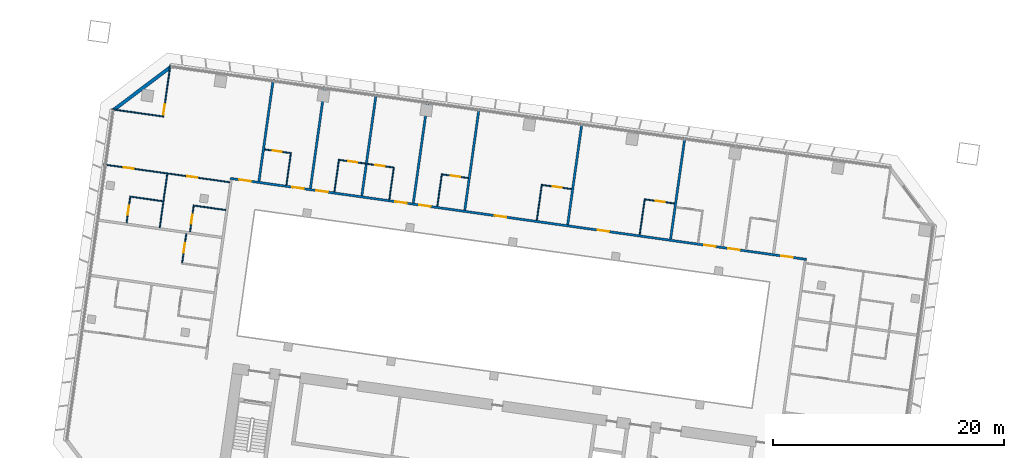
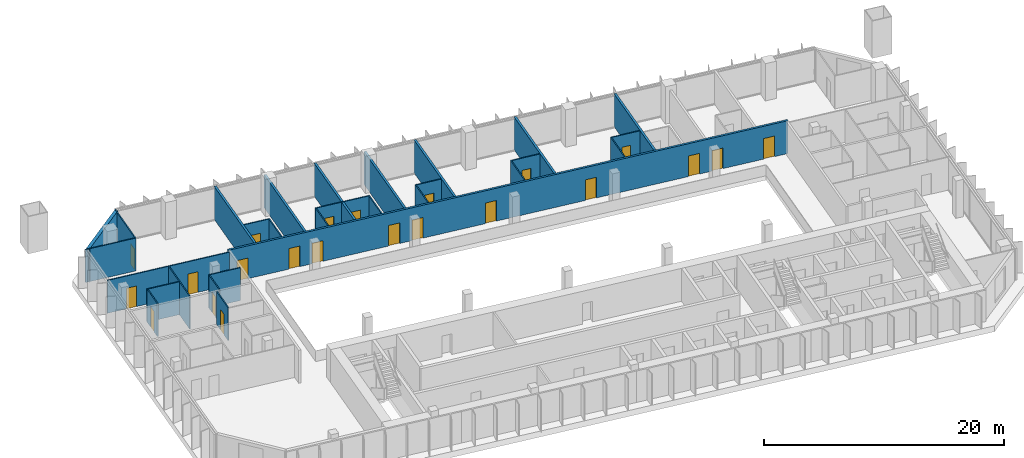
# One storey, part 16 of 25: 29 walls, 22 doors, 22 openings.
"""IFC4 building model written with IfcOpenShell, lengths in metres."""

from ifc_helpers import new_model, si_unit, direction, frame, frame_2d, origin, place, context, subcontext, project, spatial, rectangle, extrude, material, layer, layer_set, type_object, element, fill, save


model = new_model("IFC4")

# Units and contexts
model_context = context("Model", 3, precision=1e-05, world=origin(), true_north=direction((0.0, 1.0)))
body_context = subcontext(model_context, "Body", "Model", "MODEL_VIEW")
ifc_project = project(units=[si_unit("LENGTHUNIT", "METRE"), si_unit("AREAUNIT", "SQUARE_METRE"), si_unit("VOLUMEUNIT", "CUBIC_METRE"), si_unit("PLANEANGLEUNIT", "RADIAN"), si_unit("MASSUNIT", "GRAM", prefix="KILO")], contexts=[model_context])

# Site, building, storey
site_placement = place(None, origin())
site = spatial("IfcSite", under=ifc_project, at=site_placement, CompositionType="ELEMENT")
building_placement = place(site_placement, origin())
building = spatial("IfcBuilding", under=site, at=building_placement, Name="Mirante Cascada Hotel Towers", CompositionType="ELEMENT")
storey_placement = place(building_placement, frame((0.0, 0.0, 69.9)))
storey = spatial("IfcBuildingStorey", under=building, at=storey_placement, Name="L14", CompositionType="ELEMENT", Elevation=69.9)

# Wall, openings, doors
ifc_material_1 = material(Name="Fire-rated plasterboard on metal studs")
ifc_layer_1 = layer(ifc_material_1, 0.2)
ifc_layer_set_1 = layer_set([ifc_layer_1], Name="Compartment wall 200 EI 120")
wall_type_1 = type_object("IfcWallType", Name="Compartment wall 200 EI 120", PredefinedType="PARTITIONING", material=ifc_layer_set_1)
wall_1_placement = place(storey_placement, frame((-39.1051, 9.3779, 0.0), z_axis=(0.0, 0.0, 1.0), x_axis=(-0.9902681, 0.1391727, 0.0)))
wall_1 = element("IfcWall", 1, at=wall_1_placement, inside=storey, type_object=wall_type_1, Name="Wall 1-L14-19", PredefinedType="PARTITIONING", context=body_context, shape_type="SweptSolid", body=[
    extrude(rectangle(XDim=50.4, YDim=0.2, at=frame_2d((25.2, 0.0))), origin(), (0.0, 0.0, 1.0), 3.35),
])
opening_1_placement = place(wall_1_placement, frame((1.2, 0.0, 0.0)))
opening_1 = element("IfcOpeningElement", 2, at=opening_1_placement, cuts=wall_1, Name="Opening D1-L14-11", PredefinedType="OPENING", context=body_context, shape_type="SweptSolid", body=[
    extrude(rectangle(XDim=1.0, YDim=2.1, at=frame_2d((0.5, 1.05))), frame((0.0, 0.1, 0.0), z_axis=(0.0, -1.0, 0.0), x_axis=(1.0, 0.0, 0.0)), (0.0, 0.0, 1.0), 0.2),
])
opening_2_placement = place(wall_1_placement, frame((5.85, 0.0, 0.0)))
opening_2 = element("IfcOpeningElement", 3, at=opening_2_placement, cuts=wall_1, Name="Opening D1-L14-12", PredefinedType="OPENING", context=body_context, shape_type="SweptSolid", body=[
    extrude(rectangle(XDim=1.0, YDim=2.1, at=frame_2d((0.5, 1.05))), frame((0.0, 0.1, 0.0), z_axis=(0.0, -1.0, 0.0), x_axis=(1.0, 0.0, 0.0)), (0.0, 0.0, 1.0), 0.2),
])
opening_3_placement = place(wall_1_placement, frame((7.95, 0.0, 0.0)))
opening_3 = element("IfcOpeningElement", 4, at=opening_3_placement, cuts=wall_1, Name="Opening D1-L14-13", PredefinedType="OPENING", context=body_context, shape_type="SweptSolid", body=[
    extrude(rectangle(XDim=1.0, YDim=2.1, at=frame_2d((0.5, 1.05))), frame((0.0, 0.1, 0.0), z_axis=(0.0, -1.0, 0.0), x_axis=(1.0, 0.0, 0.0)), (0.0, 0.0, 1.0), 0.2),
])
opening_4_placement = place(wall_1_placement, frame((17.25, 0.0, 0.0)))
opening_4 = element("IfcOpeningElement", 5, at=opening_4_placement, cuts=wall_1, Name="Opening D1-L14-14", PredefinedType="OPENING", context=body_context, shape_type="SweptSolid", body=[
    extrude(rectangle(XDim=1.0, YDim=2.1, at=frame_2d((0.5, 1.05))), frame((0.0, 0.1, 0.0), z_axis=(0.0, -1.0, 0.0), x_axis=(1.0, 0.0, 0.0)), (0.0, 0.0, 1.0), 0.2),
])
opening_5_placement = place(wall_1_placement, frame((26.25, 0.0, 0.0)))
opening_5 = element("IfcOpeningElement", 6, at=opening_5_placement, cuts=wall_1, Name="Opening D1-L14-15", PredefinedType="OPENING", context=body_context, shape_type="SweptSolid", body=[
    extrude(rectangle(XDim=1.0, YDim=2.1, at=frame_2d((0.5, 1.05))), frame((0.0, 0.1, 0.0), z_axis=(0.0, -1.0, 0.0), x_axis=(1.0, 0.0, 0.0)), (0.0, 0.0, 1.0), 0.2),
])
opening_6_placement = place(wall_1_placement, frame((32.85, 0.0, 0.0)))
opening_6 = element("IfcOpeningElement", 7, at=opening_6_placement, cuts=wall_1, Name="Opening D1-L14-16", PredefinedType="OPENING", context=body_context, shape_type="SweptSolid", body=[
    extrude(rectangle(XDim=1.0, YDim=2.1, at=frame_2d((0.5, 1.05))), frame((0.0, 0.1, 0.0), z_axis=(0.0, -1.0, 0.0), x_axis=(1.0, 0.0, 0.0)), (0.0, 0.0, 1.0), 0.2),
])
opening_7_placement = place(wall_1_placement, frame((34.95, 0.0, 0.0)))
opening_7 = element("IfcOpeningElement", 8, at=opening_7_placement, cuts=wall_1, Name="Opening D1-L14-17", PredefinedType="OPENING", context=body_context, shape_type="SweptSolid", body=[
    extrude(rectangle(XDim=1.0, YDim=2.1, at=frame_2d((0.5, 1.05))), frame((0.0, 0.1, 0.0), z_axis=(0.0, -1.0, 0.0), x_axis=(1.0, 0.0, 0.0)), (0.0, 0.0, 1.0), 0.2),
])
opening_8_placement = place(wall_1_placement, frame((41.85, 0.0, 0.0)))
opening_8 = element("IfcOpeningElement", 9, at=opening_8_placement, cuts=wall_1, Name="Opening D1-L14-18", PredefinedType="OPENING", context=body_context, shape_type="SweptSolid", body=[
    extrude(rectangle(XDim=1.0, YDim=2.1, at=frame_2d((0.5, 1.05))), frame((0.0, 0.1, 0.0), z_axis=(0.0, -1.0, 0.0), x_axis=(1.0, 0.0, 0.0)), (0.0, 0.0, 1.0), 0.2),
])
opening_9_placement = place(wall_1_placement, frame((43.95, 0.0, 0.0)))
opening_9 = element("IfcOpeningElement", 10, at=opening_9_placement, cuts=wall_1, Name="Opening D1-L14-19", PredefinedType="OPENING", context=body_context, shape_type="SweptSolid", body=[
    extrude(rectangle(XDim=1.0, YDim=2.1, at=frame_2d((0.5, 1.05))), frame((0.0, 0.1, 0.0), z_axis=(0.0, -1.0, 0.0), x_axis=(1.0, 0.0, 0.0)), (0.0, 0.0, 1.0), 0.2),
])
opening_10_placement = place(wall_1_placement, frame((48.6, 0.0, 0.0)))
opening_10 = element("IfcOpeningElement", 11, at=opening_10_placement, cuts=wall_1, Name="Opening D1-L14-20", PredefinedType="OPENING", context=body_context, shape_type="SweptSolid", body=[
    extrude(rectangle(XDim=1.0, YDim=2.1, at=frame_2d((0.5, 1.05))), frame((0.0, 0.1, 0.0), z_axis=(0.0, -1.0, 0.0), x_axis=(1.0, 0.0, 0.0)), (0.0, 0.0, 1.0), 0.2),
])
ifc_material_2 = material(Name="Fire-rated timber door leaf", Category="wood")
door_type_1 = type_object("IfcDoorType", Name="Entrance door DG1 1000x2100 EI 60", OperationType="SINGLE_SWING_LEFT", PredefinedType="DOOR", material=ifc_material_2)
door_1_placement = place(opening_1_placement, frame((1.0, 0.0, 0.0), z_axis=(0.0, 0.0, 1.0), x_axis=(-1.0, 0.0, 0.0)))
door_1 = element("IfcDoor", 12, at=door_1_placement, inside=storey, type_object=door_type_1, Name="Door D1-L14-11", OperationType="SINGLE_SWING_RIGHT", OverallHeight=2.1, OverallWidth=1.0, PredefinedType="DOOR", context=body_context, shape_type="SweptSolid", body=[
    extrude(rectangle(XDim=1.0, YDim=2.1, at=frame_2d((0.5, 1.05))), frame((0.0, 0.025, 0.0), z_axis=(0.0, -1.0, 0.0), x_axis=(1.0, 0.0, 0.0)), (0.0, 0.0, 1.0), 0.05),
])
fill(opening_1, door_1)
door_2_placement = place(opening_2_placement, frame((1.0, 0.0, 0.0), z_axis=(0.0, 0.0, 1.0), x_axis=(-1.0, 0.0, 0.0)))
door_2 = element("IfcDoor", 13, at=door_2_placement, inside=storey, type_object=door_type_1, Name="Door D1-L14-12", OperationType="SINGLE_SWING_RIGHT", OverallHeight=2.1, OverallWidth=1.0, PredefinedType="DOOR", context=body_context, shape_type="SweptSolid", body=[
    extrude(rectangle(XDim=1.0, YDim=2.1, at=frame_2d((0.5, 1.05))), frame((0.0, 0.025, 0.0), z_axis=(0.0, -1.0, 0.0), x_axis=(1.0, 0.0, 0.0)), (0.0, 0.0, 1.0), 0.05),
])
fill(opening_2, door_2)
door_3_placement = place(opening_3_placement, frame((1.0, 0.0, 0.0), z_axis=(0.0, 0.0, 1.0), x_axis=(-1.0, 0.0, 0.0)))
door_3 = element("IfcDoor", 14, at=door_3_placement, inside=storey, type_object=door_type_1, Name="Door D1-L14-13", OperationType="SINGLE_SWING_RIGHT", OverallHeight=2.1, OverallWidth=1.0, PredefinedType="DOOR", context=body_context, shape_type="SweptSolid", body=[
    extrude(rectangle(XDim=1.0, YDim=2.1, at=frame_2d((0.5, 1.05))), frame((0.0, 0.025, 0.0), z_axis=(0.0, -1.0, 0.0), x_axis=(1.0, 0.0, 0.0)), (0.0, 0.0, 1.0), 0.05),
])
fill(opening_3, door_3)
door_4_placement = place(opening_4_placement, frame((1.0, 0.0, 0.0), z_axis=(0.0, 0.0, 1.0), x_axis=(-1.0, 0.0, 0.0)))
door_4 = element("IfcDoor", 15, at=door_4_placement, inside=storey, type_object=door_type_1, Name="Door D1-L14-14", OperationType="SINGLE_SWING_RIGHT", OverallHeight=2.1, OverallWidth=1.0, PredefinedType="DOOR", context=body_context, shape_type="SweptSolid", body=[
    extrude(rectangle(XDim=1.0, YDim=2.1, at=frame_2d((0.5, 1.05))), frame((0.0, 0.025, 0.0), z_axis=(0.0, -1.0, 0.0), x_axis=(1.0, 0.0, 0.0)), (0.0, 0.0, 1.0), 0.05),
])
fill(opening_4, door_4)
door_5_placement = place(opening_5_placement, frame((1.0, 0.0, 0.0), z_axis=(0.0, 0.0, 1.0), x_axis=(-1.0, 0.0, 0.0)))
door_5 = element("IfcDoor", 16, at=door_5_placement, inside=storey, type_object=door_type_1, Name="Door D1-L14-15", OperationType="SINGLE_SWING_RIGHT", OverallHeight=2.1, OverallWidth=1.0, PredefinedType="DOOR", context=body_context, shape_type="SweptSolid", body=[
    extrude(rectangle(XDim=1.0, YDim=2.1, at=frame_2d((0.5, 1.05))), frame((0.0, 0.025, 0.0), z_axis=(0.0, -1.0, 0.0), x_axis=(1.0, 0.0, 0.0)), (0.0, 0.0, 1.0), 0.05),
])
fill(opening_5, door_5)
door_6_placement = place(opening_6_placement, frame((1.0, 0.0, 0.0), z_axis=(0.0, 0.0, 1.0), x_axis=(-1.0, 0.0, 0.0)))
door_6 = element("IfcDoor", 17, at=door_6_placement, inside=storey, type_object=door_type_1, Name="Door D1-L14-16", OperationType="SINGLE_SWING_RIGHT", OverallHeight=2.1, OverallWidth=1.0, PredefinedType="DOOR", context=body_context, shape_type="SweptSolid", body=[
    extrude(rectangle(XDim=1.0, YDim=2.1, at=frame_2d((0.5, 1.05))), frame((0.0, 0.025, 0.0), z_axis=(0.0, -1.0, 0.0), x_axis=(1.0, 0.0, 0.0)), (0.0, 0.0, 1.0), 0.05),
])
fill(opening_6, door_6)
door_7_placement = place(opening_7_placement, frame((1.0, 0.0, 0.0), z_axis=(0.0, 0.0, 1.0), x_axis=(-1.0, 0.0, 0.0)))
door_7 = element("IfcDoor", 18, at=door_7_placement, inside=storey, type_object=door_type_1, Name="Door D1-L14-17", OperationType="SINGLE_SWING_RIGHT", OverallHeight=2.1, OverallWidth=1.0, PredefinedType="DOOR", context=body_context, shape_type="SweptSolid", body=[
    extrude(rectangle(XDim=1.0, YDim=2.1, at=frame_2d((0.5, 1.05))), frame((0.0, 0.025, 0.0), z_axis=(0.0, -1.0, 0.0), x_axis=(1.0, 0.0, 0.0)), (0.0, 0.0, 1.0), 0.05),
])
fill(opening_7, door_7)
door_8_placement = place(opening_8_placement, frame((1.0, 0.0, 0.0), z_axis=(0.0, 0.0, 1.0), x_axis=(-1.0, 0.0, 0.0)))
door_8 = element("IfcDoor", 19, at=door_8_placement, inside=storey, type_object=door_type_1, Name="Door D1-L14-18", OperationType="SINGLE_SWING_RIGHT", OverallHeight=2.1, OverallWidth=1.0, PredefinedType="DOOR", context=body_context, shape_type="SweptSolid", body=[
    extrude(rectangle(XDim=1.0, YDim=2.1, at=frame_2d((0.5, 1.05))), frame((0.0, 0.025, 0.0), z_axis=(0.0, -1.0, 0.0), x_axis=(1.0, 0.0, 0.0)), (0.0, 0.0, 1.0), 0.05),
])
fill(opening_8, door_8)
door_9_placement = place(opening_9_placement, frame((1.0, 0.0, 0.0), z_axis=(0.0, 0.0, 1.0), x_axis=(-1.0, 0.0, 0.0)))
door_9 = element("IfcDoor", 20, at=door_9_placement, inside=storey, type_object=door_type_1, Name="Door D1-L14-19", OperationType="SINGLE_SWING_RIGHT", OverallHeight=2.1, OverallWidth=1.0, PredefinedType="DOOR", context=body_context, shape_type="SweptSolid", body=[
    extrude(rectangle(XDim=1.0, YDim=2.1, at=frame_2d((0.5, 1.05))), frame((0.0, 0.025, 0.0), z_axis=(0.0, -1.0, 0.0), x_axis=(1.0, 0.0, 0.0)), (0.0, 0.0, 1.0), 0.05),
])
fill(opening_9, door_9)
door_10_placement = place(opening_10_placement, frame((1.0, 0.0, 0.0), z_axis=(0.0, 0.0, 1.0), x_axis=(-1.0, 0.0, 0.0)))
door_10 = element("IfcDoor", 21, at=door_10_placement, inside=storey, type_object=door_type_1, Name="Door D1-L14-20", OperationType="SINGLE_SWING_RIGHT", OverallHeight=2.1, OverallWidth=1.0, PredefinedType="DOOR", context=body_context, shape_type="SweptSolid", body=[
    extrude(rectangle(XDim=1.0, YDim=2.1, at=frame_2d((0.5, 1.05))), frame((0.0, 0.025, 0.0), z_axis=(0.0, -1.0, 0.0), x_axis=(1.0, 0.0, 0.0)), (0.0, 0.0, 1.0), 0.05),
])
fill(opening_10, door_10)

# Walls
wall_2_placement = place(storey_placement, frame((-50.8754, 11.1331, 0.0), z_axis=(0.0, 0.0, 1.0), x_axis=(0.1391794, 0.9902672, 0.0)))
element("IfcWall", 22, at=wall_2_placement, inside=storey, type_object=wall_type_1, Name="Wall 1-L14-39", PredefinedType="PARTITIONING", context=body_context, shape_type="SweptSolid", body=[
    extrude(rectangle(XDim=8.9, YDim=0.2, at=frame_2d((4.45, 0.0))), origin(), (0.0, 0.0, 1.0), 3.35),
])
wall_3_placement = place(storey_placement, frame((-59.7878, 12.3857, 0.0), z_axis=(0.0, 0.0, 1.0), x_axis=(0.13917, 0.9902685, 0.0)))
element("IfcWall", 23, at=wall_3_placement, inside=storey, type_object=wall_type_1, Name="Wall 1-L14-41", PredefinedType="PARTITIONING", context=body_context, shape_type="SweptSolid", body=[
    extrude(rectangle(XDim=8.8999, YDim=0.2, at=frame_2d((4.45, 0.0))), origin(), (0.0, 0.0, 1.0), 3.35),
])
for number, where, z_axis, x_axis, name in (
    (24, (-68.7002, 13.6382, 0.0), (0.0, 0.0, 1.0), (0.1391684, 0.9902687, 0.0), "Wall 1-L14-43"),
    (25, (-73.1564, 14.2645, 0.0), (0.0, 0.0, 1.0), (0.1391684, 0.9902687, 0.0), "Wall 1-L14-45"),
    (26, (-77.6126, 14.8908, 0.0), (0.0, 0.0, 1.0), (0.1391684, 0.9902687, 0.0), "Wall 1-L14-47"),
):
    element("IfcWall", number, at=place(storey_placement, frame(where, z_axis=z_axis, x_axis=x_axis)), inside=storey, type_object=wall_type_1, Name=name, PredefinedType="PARTITIONING", context=body_context, shape_type="SweptSolid", body=[
        extrude(rectangle(XDim=8.9, YDim=0.2, at=frame_2d((4.45, 0.0))), origin(), (0.0, 0.0, 1.0), 3.35),
    ])
wall_4_placement = place(storey_placement, frame((-82.0688, 15.5171, 0.0), z_axis=(0.0, 0.0, 1.0), x_axis=(0.13917, 0.9902685, 0.0)))
element("IfcWall", 27, at=wall_4_placement, inside=storey, type_object=wall_type_1, Name="Wall 1-L14-49", PredefinedType="PARTITIONING", context=body_context, shape_type="SweptSolid", body=[
    extrude(rectangle(XDim=8.8999, YDim=0.2, at=frame_2d((4.45, 0.0))), origin(), (0.0, 0.0, 1.0), 3.35),
])
wall_5_placement = place(storey_placement, frame((-86.525, 16.1433, 0.0), z_axis=(0.0, 0.0, 1.0), x_axis=(0.1391684, 0.9902687, 0.0)))
element("IfcWall", 28, at=wall_5_placement, inside=storey, type_object=wall_type_1, Name="Wall 1-L14-51", PredefinedType="PARTITIONING", context=body_context, shape_type="SweptSolid", body=[
    extrude(rectangle(XDim=8.9, YDim=0.2, at=frame_2d((4.45, 0.0))), origin(), (0.0, 0.0, 1.0), 3.35),
])
ifc_material_3 = material(Name="Plasterboard on metal studs")
ifc_layer_2 = layer(ifc_material_3, 0.1)
ifc_layer_set_2 = layer_set([ifc_layer_2], Name="Partition 100")
wall_type_2 = type_object("IfcWallType", Name="Partition 100", PredefinedType="PARTITIONING", material=ifc_layer_set_2)
wall_6_placement = place(storey_placement, frame((-89.3997, 13.6525, 0.0), z_axis=(0.0, 0.0, 1.0), x_axis=(-0.9902697, 0.1391613, 0.0)))
element("IfcWall", 29, at=wall_6_placement, inside=storey, type_object=wall_type_2, Name="Wall 1-L14-15", PredefinedType="PARTITIONING", context=body_context, shape_type="SweptSolid", body=[
    extrude(rectangle(XDim=2.8499, YDim=0.1, at=frame_2d((1.425, 0.0))), origin(), (0.0, 0.0, 1.0), 3.35),
])
wall_7_placement = place(storey_placement, frame((-97.7179, 14.8215, 0.0), z_axis=(0.0, 0.0, 1.0), x_axis=(0.9902683, -0.1391714, 0.0)))
element("IfcWall", 30, at=wall_7_placement, inside=storey, type_object=wall_type_2, Name="Wall 1-L14-16", PredefinedType="PARTITIONING", context=body_context, shape_type="SweptSolid", body=[
    extrude(rectangle(XDim=2.9, YDim=0.1, at=frame_2d((1.45, 0.0))), origin(), (0.0, 0.0, 1.0), 3.35),
])

# Wall, openings, doors
wall_8_placement = place(storey_placement, frame((-99.954, 17.5931, 0.0), z_axis=(0.0, 0.0, 1.0), x_axis=(0.9902682, -0.1391721, 0.0)))
wall_8 = element("IfcWall", 31, at=wall_8_placement, inside=storey, type_object=wall_type_2, Name="Wall 1-L14-18", PredefinedType="PARTITIONING", context=body_context, shape_type="SweptSolid", body=[
    extrude(rectangle(XDim=11.0001, YDim=0.1, at=frame_2d((5.5, 0.0))), origin(), (0.0, 0.0, 1.0), 3.35),
])
opening_11_placement = place(wall_8_placement, frame((7.275, 0.0, 0.0)))
opening_11 = element("IfcOpeningElement", 32, at=opening_11_placement, cuts=wall_8, Name="Opening D1-L14-09", PredefinedType="OPENING", context=body_context, shape_type="SweptSolid", body=[
    extrude(rectangle(XDim=0.9, YDim=2.1, at=frame_2d((0.45, 1.05))), frame((0.0, 0.05, 0.0), z_axis=(0.0, -1.0, 0.0), x_axis=(1.0, 0.0, 0.0)), (0.0, 0.0, 1.0), 0.1),
])
opening_12_placement = place(wall_8_placement, frame((1.725, 0.0, 0.0)))
opening_12 = element("IfcOpeningElement", 33, at=opening_12_placement, cuts=wall_8, Name="Opening D1-L14-10", PredefinedType="OPENING", context=body_context, shape_type="SweptSolid", body=[
    extrude(rectangle(XDim=0.9, YDim=2.1, at=frame_2d((0.45, 1.05))), frame((0.0, 0.05, 0.0), z_axis=(0.0, -1.0, 0.0), x_axis=(1.0, 0.0, 0.0)), (0.0, 0.0, 1.0), 0.1),
])
ifc_material_4 = material(Name="Timber door leaf", Category="wood")
door_type_2 = type_object("IfcDoorType", Name="Room door DG3 900x2100", OperationType="SINGLE_SWING_LEFT", PredefinedType="DOOR", material=ifc_material_4)
door_11_placement = place(opening_11_placement, origin())
door_11 = element("IfcDoor", 34, at=door_11_placement, inside=storey, type_object=door_type_2, Name="Door D1-L14-09", OperationType="SINGLE_SWING_LEFT", OverallHeight=2.1, OverallWidth=0.9, PredefinedType="DOOR", context=body_context, shape_type="SweptSolid", body=[
    extrude(rectangle(XDim=0.9, YDim=2.1, at=frame_2d((0.45, 1.05))), frame((0.0, 0.025, 0.0), z_axis=(0.0, -1.0, 0.0), x_axis=(1.0, 0.0, 0.0)), (0.0, 0.0, 1.0), 0.05),
])
fill(opening_11, door_11)
door_12_placement = place(opening_12_placement, origin())
door_12 = element("IfcDoor", 35, at=door_12_placement, inside=storey, type_object=door_type_2, Name="Door D1-L14-10", OperationType="SINGLE_SWING_LEFT", OverallHeight=2.1, OverallWidth=0.9, PredefinedType="DOOR", context=body_context, shape_type="SweptSolid", body=[
    extrude(rectangle(XDim=0.9, YDim=2.1, at=frame_2d((0.45, 1.05))), frame((0.0, 0.025, 0.0), z_axis=(0.0, -1.0, 0.0), x_axis=(1.0, 0.0, 0.0)), (0.0, 0.0, 1.0), 0.05),
])
fill(opening_12, door_12)

# Wall, opening, door
wall_9_placement = place(storey_placement, frame((-70.6377, 16.738, 0.0), z_axis=(0.0, 0.0, 1.0), x_axis=(0.9902705, -0.1391561, 0.0)))
wall_9 = element("IfcWall", 36, at=wall_9_placement, inside=storey, type_object=wall_type_2, Name="Wall 1-L14-22", PredefinedType="PARTITIONING", context=body_context, shape_type="SweptSolid", body=[
    extrude(rectangle(XDim=2.25, YDim=0.1, at=frame_2d((1.125, 0.0))), origin(), (0.0, 0.0, 1.0), 3.35),
])
opening_13_placement = place(wall_9_placement, frame((0.75, 0.0, 0.0)))
opening_13 = element("IfcOpeningElement", 37, at=opening_13_placement, cuts=wall_9, Name="Opening D1-L14-23", PredefinedType="OPENING", context=body_context, shape_type="SweptSolid", body=[
    extrude(rectangle(XDim=0.8, YDim=2.1, at=frame_2d((0.4, 1.05))), frame((0.0, 0.05, 0.0), z_axis=(0.0, -1.0, 0.0), x_axis=(1.0, 0.0, 0.0)), (0.0, 0.0, 1.0), 0.1),
])
ifc_material_5 = material(Name="Timber door leaf", Category="wood")
door_type_3 = type_object("IfcDoorType", Name="Bathroom door DG4 800x2100", OperationType="SINGLE_SWING_LEFT", PredefinedType="DOOR", material=ifc_material_5)
door_13_placement = place(opening_13_placement, origin())
door_13 = element("IfcDoor", 38, at=door_13_placement, inside=storey, type_object=door_type_3, Name="Door D1-L14-23", OperationType="SINGLE_SWING_LEFT", OverallHeight=2.1, OverallWidth=0.8, PredefinedType="DOOR", context=body_context, shape_type="SweptSolid", body=[
    extrude(rectangle(XDim=0.8, YDim=2.1, at=frame_2d((0.4, 1.05))), frame((0.0, 0.025, 0.0), z_axis=(0.0, -1.0, 0.0), x_axis=(1.0, 0.0, 0.0)), (0.0, 0.0, 1.0), 0.05),
])
fill(opening_13, door_13)

# Wall, openings, doors
wall_10_placement = place(storey_placement, frame((-74.7968, 17.3226, 0.0), z_axis=(0.0, 0.0, 1.0), x_axis=(-0.9902694, 0.1391638, 0.0)))
wall_10 = element("IfcWall", 39, at=wall_10_placement, inside=storey, type_object=wall_type_2, Name="Wall 1-L14-23", PredefinedType="PARTITIONING", context=body_context, shape_type="SweptSolid", body=[
    extrude(rectangle(XDim=4.9, YDim=0.1, at=frame_2d((2.45, 0.0))), origin(), (0.0, 0.0, 1.0), 3.35),
])
opening_14_placement = place(wall_10_placement, frame((0.85, 0.0, 0.0)))
opening_14 = element("IfcOpeningElement", 40, at=opening_14_placement, cuts=wall_10, Name="Opening D1-L14-24", PredefinedType="OPENING", context=body_context, shape_type="SweptSolid", body=[
    extrude(rectangle(XDim=0.8, YDim=2.1, at=frame_2d((0.4, 1.05))), frame((0.0, 0.05, 0.0), z_axis=(0.0, -1.0, 0.0), x_axis=(1.0, 0.0, 0.0)), (0.0, 0.0, 1.0), 0.1),
])
opening_15_placement = place(wall_10_placement, frame((3.25, 0.0, 0.0)))
opening_15 = element("IfcOpeningElement", 41, at=opening_15_placement, cuts=wall_10, Name="Opening D1-L14-25", PredefinedType="OPENING", context=body_context, shape_type="SweptSolid", body=[
    extrude(rectangle(XDim=0.8, YDim=2.1, at=frame_2d((0.4, 1.05))), frame((0.0, 0.05, 0.0), z_axis=(0.0, -1.0, 0.0), x_axis=(1.0, 0.0, 0.0)), (0.0, 0.0, 1.0), 0.1),
])
door_14_placement = place(opening_14_placement, frame((0.8, 0.0, 0.0), z_axis=(0.0, 0.0, 1.0), x_axis=(-1.0, 0.0, 0.0)))
door_14 = element("IfcDoor", 42, at=door_14_placement, inside=storey, type_object=door_type_3, Name="Door D1-L14-24", OperationType="SINGLE_SWING_RIGHT", OverallHeight=2.1, OverallWidth=0.8, PredefinedType="DOOR", context=body_context, shape_type="SweptSolid", body=[
    extrude(rectangle(XDim=0.8, YDim=2.1, at=frame_2d((0.4, 1.05))), frame((0.0, 0.025, 0.0), z_axis=(0.0, -1.0, 0.0), x_axis=(1.0, 0.0, 0.0)), (0.0, 0.0, 1.0), 0.05),
])
fill(opening_14, door_14)
door_15_placement = place(opening_15_placement, frame((0.8, 0.0, 0.0), z_axis=(0.0, 0.0, 1.0), x_axis=(-1.0, 0.0, 0.0)))
door_15 = element("IfcDoor", 43, at=door_15_placement, inside=storey, type_object=door_type_3, Name="Door D1-L14-25", OperationType="SINGLE_SWING_RIGHT", OverallHeight=2.1, OverallWidth=0.8, PredefinedType="DOOR", context=body_context, shape_type="SweptSolid", body=[
    extrude(rectangle(XDim=0.8, YDim=2.1, at=frame_2d((0.4, 1.05))), frame((0.0, 0.025, 0.0), z_axis=(0.0, -1.0, 0.0), x_axis=(1.0, 0.0, 0.0)), (0.0, 0.0, 1.0), 0.05),
])
fill(opening_15, door_15)

# Wall, opening, door
wall_11_placement = place(storey_placement, frame((-86.0363, 18.9022, 0.0), z_axis=(0.0, 0.0, 1.0), x_axis=(0.9902643, -0.1391997, 0.0)))
wall_11 = element("IfcWall", 44, at=wall_11_placement, inside=storey, type_object=wall_type_2, Name="Wall 1-L14-24", PredefinedType="PARTITIONING", context=body_context, shape_type="SweptSolid", body=[
    extrude(rectangle(XDim=2.25, YDim=0.1, at=frame_2d((1.125, 0.0))), origin(), (0.0, 0.0, 1.0), 3.35),
])
opening_16_placement = place(wall_11_placement, frame((0.7, 0.0, 0.0)))
opening_16 = element("IfcOpeningElement", 45, at=opening_16_placement, cuts=wall_11, Name="Opening D1-L14-26", PredefinedType="OPENING", context=body_context, shape_type="SweptSolid", body=[
    extrude(rectangle(XDim=0.8, YDim=2.1, at=frame_2d((0.4, 1.05))), frame((0.0, 0.05, 0.0), z_axis=(0.0, -1.0, 0.0), x_axis=(1.0, 0.0, 0.0)), (0.0, 0.0, 1.0), 0.1),
])
door_16_placement = place(opening_16_placement, origin())
door_16 = element("IfcDoor", 46, at=door_16_placement, inside=storey, type_object=door_type_3, Name="Door D1-L14-26", OperationType="SINGLE_SWING_LEFT", OverallHeight=2.1, OverallWidth=0.8, PredefinedType="DOOR", context=body_context, shape_type="SweptSolid", body=[
    extrude(rectangle(XDim=0.8, YDim=2.1, at=frame_2d((0.4, 1.05))), frame((0.0, 0.025, 0.0), z_axis=(0.0, -1.0, 0.0), x_axis=(1.0, 0.0, 0.0)), (0.0, 0.0, 1.0), 0.05),
])
fill(opening_16, door_16)

wall_12_placement = place(storey_placement, frame((-50.543, 14.2169, 0.0), z_axis=(0.0, 0.0, 1.0), x_axis=(-0.9902731, 0.1391371, 0.0)))
wall_12 = element("IfcWall", 47, at=wall_12_placement, inside=storey, type_object=wall_type_2, Name="Wall 1-L14-25", PredefinedType="PARTITIONING", context=body_context, shape_type="SweptSolid", body=[
    extrude(rectangle(XDim=2.55, YDim=0.1, at=frame_2d((1.275, 0.0))), origin(), (0.0, 0.0, 1.0), 3.35),
])
opening_17_placement = place(wall_12_placement, frame((0.85, 0.0, 0.0)))
opening_17 = element("IfcOpeningElement", 48, at=opening_17_placement, cuts=wall_12, Name="Opening D1-L14-27", PredefinedType="OPENING", context=body_context, shape_type="SweptSolid", body=[
    extrude(rectangle(XDim=0.8, YDim=2.1, at=frame_2d((0.4, 1.05))), frame((0.0, 0.05, 0.0), z_axis=(0.0, -1.0, 0.0), x_axis=(1.0, 0.0, 0.0)), (0.0, 0.0, 1.0), 0.1),
])
door_17_placement = place(opening_17_placement, frame((0.8, 0.0, 0.0), z_axis=(0.0, 0.0, 1.0), x_axis=(-1.0, 0.0, 0.0)))
door_17 = element("IfcDoor", 49, at=door_17_placement, inside=storey, type_object=door_type_3, Name="Door D1-L14-27", OperationType="SINGLE_SWING_RIGHT", OverallHeight=2.1, OverallWidth=0.8, PredefinedType="DOOR", context=body_context, shape_type="SweptSolid", body=[
    extrude(rectangle(XDim=0.8, YDim=2.1, at=frame_2d((0.4, 1.05))), frame((0.0, 0.025, 0.0), z_axis=(0.0, -1.0, 0.0), x_axis=(1.0, 0.0, 0.0)), (0.0, 0.0, 1.0), 0.05),
])
fill(opening_17, door_17)

wall_13_placement = place(storey_placement, frame((-61.9806, 15.8243, 0.0), z_axis=(0.0, 0.0, 1.0), x_axis=(0.9902677, -0.1391755, 0.0)))
wall_13 = element("IfcWall", 50, at=wall_13_placement, inside=storey, type_object=wall_type_2, Name="Wall 1-L14-26", PredefinedType="PARTITIONING", context=body_context, shape_type="SweptSolid", body=[
    extrude(rectangle(XDim=2.55, YDim=0.1, at=frame_2d((1.275, 0.0))), origin(), (0.0, 0.0, 1.0), 3.35),
])
opening_18_placement = place(wall_13_placement, frame((0.9, 0.0, 0.0)))
opening_18 = element("IfcOpeningElement", 51, at=opening_18_placement, cuts=wall_13, Name="Opening D1-L14-28", PredefinedType="OPENING", context=body_context, shape_type="SweptSolid", body=[
    extrude(rectangle(XDim=0.8, YDim=2.1, at=frame_2d((0.4, 1.05))), frame((0.0, 0.05, 0.0), z_axis=(0.0, -1.0, 0.0), x_axis=(1.0, 0.0, 0.0)), (0.0, 0.0, 1.0), 0.1),
])
door_18_placement = place(opening_18_placement, origin())
door_18 = element("IfcDoor", 52, at=door_18_placement, inside=storey, type_object=door_type_3, Name="Door D1-L14-28", OperationType="SINGLE_SWING_LEFT", OverallHeight=2.1, OverallWidth=0.8, PredefinedType="DOOR", context=body_context, shape_type="SweptSolid", body=[
    extrude(rectangle(XDim=0.8, YDim=2.1, at=frame_2d((0.4, 1.05))), frame((0.0, 0.025, 0.0), z_axis=(0.0, -1.0, 0.0), x_axis=(1.0, 0.0, 0.0)), (0.0, 0.0, 1.0), 0.05),
])
fill(opening_18, door_18)

# Walls
wall_14_placement = place(storey_placement, frame((-99.2813, 22.3794, 0.0), z_axis=(0.0, 0.0, 1.0), x_axis=(0.9902661, -0.1391871, 0.0)))
element("IfcWall", 53, at=wall_14_placement, inside=storey, type_object=wall_type_2, Name="Wall 1-L14-28", PredefinedType="PARTITIONING", context=body_context, shape_type="SweptSolid", body=[
    extrude(rectangle(XDim=4.55, YDim=0.1, at=frame_2d((2.275, 0.0))), origin(), (0.0, 0.0, 1.0), 3.35),
])
wall_15_placement = place(storey_placement, frame((-53.1107, 14.6282, 0.0), z_axis=(0.0, 0.0, 1.0), x_axis=(-0.1391765, -0.9902676, 0.0)))
element("IfcWall", 54, at=wall_15_placement, inside=storey, type_object=wall_type_2, Name="Wall 1-L14-40", PredefinedType="PARTITIONING", context=body_context, shape_type="SweptSolid", body=[
    extrude(rectangle(XDim=3.15, YDim=0.1, at=frame_2d((1.575, 0.0))), origin(), (0.0, 0.0, 1.0), 3.35),
])
wall_16_placement = place(storey_placement, frame((-62.0231, 15.8808, 0.0), z_axis=(0.0, 0.0, 1.0), x_axis=(-0.1391721, -0.9902682, 0.0)))
element("IfcWall", 55, at=wall_16_placement, inside=storey, type_object=wall_type_2, Name="Wall 1-L14-42", PredefinedType="PARTITIONING", context=body_context, shape_type="SweptSolid", body=[
    extrude(rectangle(XDim=3.1501, YDim=0.1, at=frame_2d((1.575, 0.0))), origin(), (0.0, 0.0, 1.0), 3.35),
])
wall_17_placement = place(storey_placement, frame((-70.6802, 16.7945, 0.0), z_axis=(0.0, 0.0, 1.0), x_axis=(-0.1391909, -0.9902656, 0.0)))
element("IfcWall", 56, at=wall_17_placement, inside=storey, type_object=wall_type_2, Name="Wall 1-L14-44", PredefinedType="PARTITIONING", context=body_context, shape_type="SweptSolid", body=[
    extrude(rectangle(XDim=2.85, YDim=0.1, at=frame_2d((1.425, 0.0))), origin(), (0.0, 0.0, 1.0), 3.35),
])
for number, where, z_axis, x_axis, name in (
    (57, (-74.8533, 17.28, 0.0), (0.0, 0.0, 1.0), (-0.1391657, -0.9902691, 0.0), "Wall 1-L14-46"),
    (58, (-79.6065, 17.948, 0.0), (0.0, 0.0, 1.0), (-0.1392013, -0.9902641, 0.0), "Wall 1-L14-48"),
):
    element("IfcWall", number, at=place(storey_placement, frame(where, z_axis=z_axis, x_axis=x_axis)), inside=storey, type_object=wall_type_2, Name=name, PredefinedType="PARTITIONING", context=body_context, shape_type="SweptSolid", body=[
        extrude(rectangle(XDim=2.75, YDim=0.1, at=frame_2d((1.375, 0.0))), origin(), (0.0, 0.0, 1.0), 3.35),
    ])
wall_18_placement = place(storey_placement, frame((-83.7517, 18.6316, 0.0), z_axis=(0.0, 0.0, 1.0), x_axis=(-0.1391909, -0.9902656, 0.0)))
element("IfcWall", 59, at=wall_18_placement, inside=storey, type_object=wall_type_2, Name="Wall 1-L14-50", PredefinedType="PARTITIONING", context=body_context, shape_type="SweptSolid", body=[
    extrude(rectangle(XDim=2.85, YDim=0.1, at=frame_2d((1.425, 0.0))), origin(), (0.0, 0.0, 1.0), 3.35),
])

# Wall, opening, door
wall_19_placement = place(storey_placement, frame((-92.1794, 13.9926, 0.0), z_axis=(0.0, 0.0, 1.0), x_axis=(-0.1391561, -0.9902705, 0.0)))
wall_19 = element("IfcWall", 60, at=wall_19_placement, inside=storey, type_object=wall_type_2, Name="Wall 1-L14-54", PredefinedType="PARTITIONING", context=body_context, shape_type="SweptSolid", body=[
    extrude(rectangle(XDim=2.25, YDim=0.1, at=frame_2d((1.125, 0.0))), origin(), (0.0, 0.0, 1.0), 3.35),
])
opening_19_placement = place(wall_19_placement, frame((0.75, 0.0, 0.0)))
opening_19 = element("IfcOpeningElement", 61, at=opening_19_placement, cuts=wall_19, Name="Opening D1-L14-37", PredefinedType="OPENING", context=body_context, shape_type="SweptSolid", body=[
    extrude(rectangle(XDim=0.8, YDim=2.1, at=frame_2d((0.4, 1.05))), frame((0.0, 0.05, 0.0), z_axis=(0.0, -1.0, 0.0), x_axis=(1.0, 0.0, 0.0)), (0.0, 0.0, 1.0), 0.1),
])
door_19_placement = place(opening_19_placement, origin())
door_19 = element("IfcDoor", 62, at=door_19_placement, inside=storey, type_object=door_type_3, Name="Door D1-L14-37", OperationType="SINGLE_SWING_LEFT", OverallHeight=2.1, OverallWidth=0.8, PredefinedType="DOOR", context=body_context, shape_type="SweptSolid", body=[
    extrude(rectangle(XDim=0.8, YDim=2.1, at=frame_2d((0.4, 1.05))), frame((0.0, 0.025, 0.0), z_axis=(0.0, -1.0, 0.0), x_axis=(1.0, 0.0, 0.0)), (0.0, 0.0, 1.0), 0.05),
])
fill(opening_19, door_19)

wall_20_placement = place(storey_placement, frame((-93.1723, 9.083, 0.0), z_axis=(0.0, 0.0, 1.0), x_axis=(0.1391755, 0.9902677, 0.0)))
wall_20 = element("IfcWall", 63, at=wall_20_placement, inside=storey, type_object=wall_type_2, Name="Wall 1-L14-55", PredefinedType="PARTITIONING", context=body_context, shape_type="SweptSolid", body=[
    extrude(rectangle(XDim=2.55, YDim=0.1, at=frame_2d((1.275, 0.0))), origin(), (0.0, 0.0, 1.0), 3.35),
])
opening_20_placement = place(wall_20_placement, frame((0.9, 0.0, 0.0)))
opening_20 = element("IfcOpeningElement", 64, at=opening_20_placement, cuts=wall_20, Name="Opening D1-L14-38", PredefinedType="OPENING", context=body_context, shape_type="SweptSolid", body=[
    extrude(rectangle(XDim=0.8, YDim=2.1, at=frame_2d((0.4, 1.05))), frame((0.0, 0.05, 0.0), z_axis=(0.0, -1.0, 0.0), x_axis=(1.0, 0.0, 0.0)), (0.0, 0.0, 1.0), 0.1),
])
door_20_placement = place(opening_20_placement, origin())
door_20 = element("IfcDoor", 65, at=door_20_placement, inside=storey, type_object=door_type_3, Name="Door D1-L14-38", OperationType="SINGLE_SWING_LEFT", OverallHeight=2.1, OverallWidth=0.8, PredefinedType="DOOR", context=body_context, shape_type="SweptSolid", body=[
    extrude(rectangle(XDim=0.8, YDim=2.1, at=frame_2d((0.4, 1.05))), frame((0.0, 0.025, 0.0), z_axis=(0.0, -1.0, 0.0), x_axis=(1.0, 0.0, 0.0)), (0.0, 0.0, 1.0), 0.05),
])
fill(opening_20, door_20)

# Wall
wall_21_placement = place(storey_placement, frame((-95.1167, 12.1333, 0.0), z_axis=(0.0, 0.0, 1.0), x_axis=(0.1391701, 0.9902685, 0.0)))
element("IfcWall", 66, at=wall_21_placement, inside=storey, type_object=wall_type_2, Name="Wall 1-L14-57", PredefinedType="PARTITIONING", context=body_context, shape_type="SweptSolid", body=[
    extrude(rectangle(XDim=4.6835, YDim=0.1, at=frame_2d((2.3418, 0.0))), origin(), (0.0, 0.0, 1.0), 3.35),
])

# Wall, opening, door
wall_22_placement = place(storey_placement, frame((-94.1988, 26.2093, 0.0), z_axis=(0.0, 0.0, 1.0), x_axis=(-0.1391684, -0.9902687, 0.0)))
wall_22 = element("IfcWall", 67, at=wall_22_placement, inside=storey, type_object=wall_type_2, Name="Wall 1-L14-58", PredefinedType="PARTITIONING", context=body_context, shape_type="SweptSolid", body=[
    extrude(rectangle(XDim=4.45, YDim=0.1, at=frame_2d((2.225, 0.0))), origin(), (0.0, 0.0, 1.0), 3.35),
])
opening_21_placement = place(wall_22_placement, frame((3.45, 0.0, 0.0)))
opening_21 = element("IfcOpeningElement", 68, at=opening_21_placement, cuts=wall_22, Name="Opening D1-L14-40", PredefinedType="OPENING", context=body_context, shape_type="SweptSolid", body=[
    extrude(rectangle(XDim=0.9, YDim=2.1, at=frame_2d((0.45, 1.05))), frame((0.0, 0.05, 0.0), z_axis=(0.0, -1.0, 0.0), x_axis=(1.0, 0.0, 0.0)), (0.0, 0.0, 1.0), 0.1),
])
door_21_placement = place(opening_21_placement, origin())
door_21 = element("IfcDoor", 69, at=door_21_placement, inside=storey, type_object=door_type_2, Name="Door D1-L14-40", OperationType="SINGLE_SWING_LEFT", OverallHeight=2.1, OverallWidth=0.9, PredefinedType="DOOR", context=body_context, shape_type="SweptSolid", body=[
    extrude(rectangle(XDim=0.9, YDim=2.1, at=frame_2d((0.45, 1.05))), frame((0.0, 0.025, 0.0), z_axis=(0.0, -1.0, 0.0), x_axis=(1.0, 0.0, 0.0)), (0.0, 0.0, 1.0), 0.05),
])
fill(opening_21, door_21)

wall_23_placement = place(storey_placement, frame((-97.6754, 14.765, 0.0), z_axis=(0.0, 0.0, 1.0), x_axis=(-0.1391561, -0.9902705, 0.0)))
wall_23 = element("IfcWall", 70, at=wall_23_placement, inside=storey, type_object=wall_type_2, Name="Wall 1-L14-60", PredefinedType="PARTITIONING", context=body_context, shape_type="SweptSolid", body=[
    extrude(rectangle(XDim=2.25, YDim=0.1, at=frame_2d((1.125, 0.0))), origin(), (0.0, 0.0, 1.0), 3.35),
])
opening_22_placement = place(wall_23_placement, frame((0.75, 0.0, 0.0)))
opening_22 = element("IfcOpeningElement", 71, at=opening_22_placement, cuts=wall_23, Name="Opening D1-L14-42", PredefinedType="OPENING", context=body_context, shape_type="SweptSolid", body=[
    extrude(rectangle(XDim=0.8, YDim=2.1, at=frame_2d((0.4, 1.05))), frame((0.0, 0.05, 0.0), z_axis=(0.0, -1.0, 0.0), x_axis=(1.0, 0.0, 0.0)), (0.0, 0.0, 1.0), 0.1),
])
door_22_placement = place(opening_22_placement, origin())
door_22 = element("IfcDoor", 72, at=door_22_placement, inside=storey, type_object=door_type_3, Name="Door D1-L14-42", OperationType="SINGLE_SWING_LEFT", OverallHeight=2.1, OverallWidth=0.8, PredefinedType="DOOR", context=body_context, shape_type="SweptSolid", body=[
    extrude(rectangle(XDim=0.8, YDim=2.1, at=frame_2d((0.4, 1.05))), frame((0.0, 0.025, 0.0), z_axis=(0.0, -1.0, 0.0), x_axis=(1.0, 0.0, 0.0)), (0.0, 0.0, 1.0), 0.05),
])
fill(opening_22, door_22)

# Wall
ifc_material_6 = material(Name="Precast concrete C40/50", Category="concrete")
ifc_layer_3 = layer(ifc_material_6, 0.3)
ifc_layer_set_3 = layer_set([ifc_layer_3], Name="Precast concrete C40/50 cladding wall 300")
wall_type_3 = type_object("IfcWallType", Name="Precast concrete C40/50 cladding wall 300", PredefinedType="STANDARD", material=ifc_layer_set_3)
wall_24_placement = place(storey_placement, frame((-99.0919, 22.3343, 0.0), z_axis=(0.0, 0.0, 1.0), x_axis=(0.7986362, 0.6018141, 0.0)))
element("IfcWall", 73, at=wall_24_placement, inside=storey, type_object=wall_type_3, Name="Corner cladding wall T1 L14 outer front", PredefinedType="STANDARD", context=body_context, shape_type="SweptSolid", body=[
    extrude(rectangle(XDim=6.1157, YDim=0.3, at=frame_2d((3.0578, 0.0))), origin(), (0.0, 0.0, 1.0), 3.35),
])

save(model, "model.ifc")
